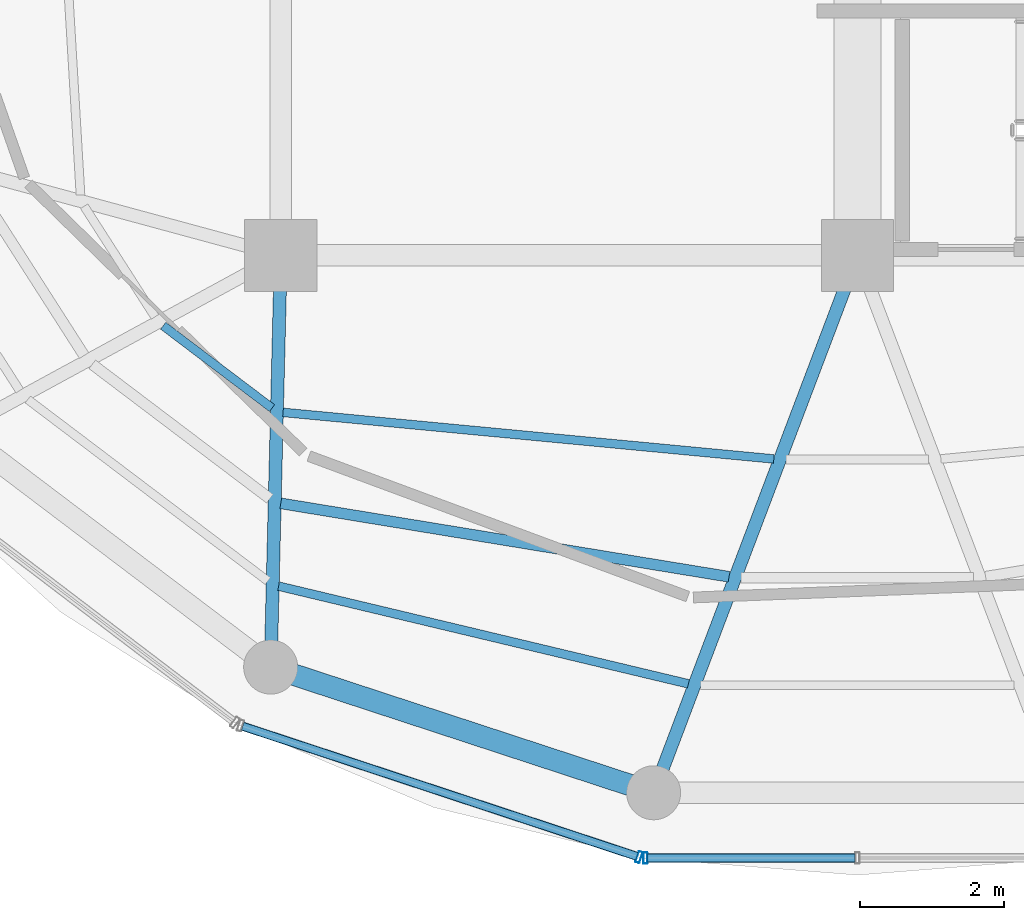
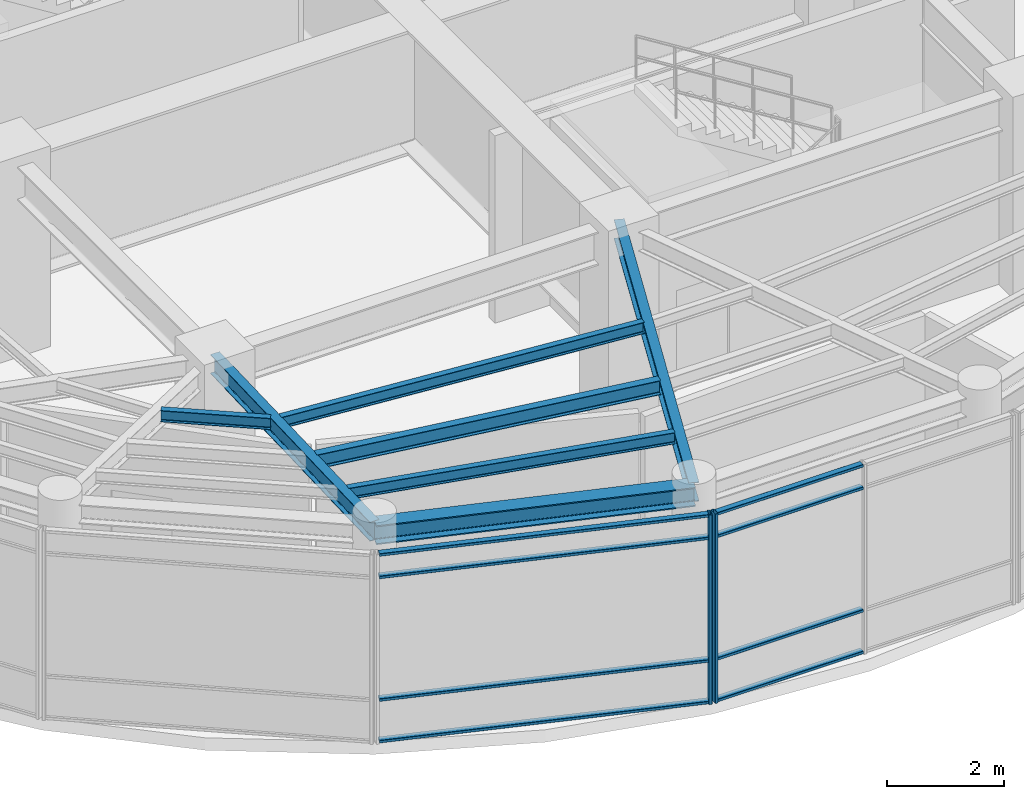
# One storey, part 3 of 19: 10 members, 7 beams, 2 elements without a shape of their own.
"""IFC4 building model written with IfcOpenShell, lengths in metres."""

from ifc_helpers import new_model, si_unit, direction, frame, origin, origin_2d, place, context, subcontext, project, spatial, hollow_rectangle, i_section, extrude, material, layer, layer_set, material_profile, profile_set, type_object, element, aggregate, save


model = new_model("IFC4")

# Units and contexts
model_context = context("Model", 3, precision=1e-05, world=origin(), true_north=direction((0.0, 1.0)))
body_context = subcontext(model_context, "Body", "Model", "MODEL_VIEW")
ifc_project = project(units=[si_unit("LENGTHUNIT", "METRE"), si_unit("AREAUNIT", "SQUARE_METRE"), si_unit("VOLUMEUNIT", "CUBIC_METRE"), si_unit("PLANEANGLEUNIT", "RADIAN"), si_unit("MASSUNIT", "GRAM", prefix="KILO")], contexts=[model_context])

# Site, building, storey
site_placement = place(None, origin())
site = spatial("IfcSite", under=ifc_project, at=site_placement, CompositionType="ELEMENT")
building_placement = place(site_placement, origin())
building = spatial("IfcBuilding", under=site, at=building_placement, Name="Kelanora Arch Commons", CompositionType="ELEMENT")
storey_placement = place(building_placement, frame((0.0, 0.0, 306.89990234375)))
storey = spatial("IfcBuildingStorey", under=building, at=storey_placement, Name="L78", CompositionType="ELEMENT", Elevation=306.89990234375)

# Beams
ifc_material_1 = material(Name="Steel S355", Category="steel")
ifc_material_profile_1 = material_profile(ifc_material_1, i_section(OverallWidth=0.14990234375, OverallDepth=0.300048828125, WebThickness=0.007080078125, FlangeThickness=0.0107421875, FilletRadius=0.014892578125, at=origin_2d()), Name="IPE300")
ifc_profile_set_1 = profile_set([ifc_material_profile_1], Name="Steel S355")
beam_type_1 = type_object("IfcBeamType", Name="BM-JST-01", PredefinedType="JOIST", material=ifc_profile_set_1)
beam_1_placement = place(storey_placement, frame((66.0, 47.558349609375, 3.830078125), z_axis=(0.986849654094, -0.16164083709, 0.0), x_axis=(0.16164083709, 0.986849654094, 0.0)))
element("IfcBeam", 1, at=beam_1_placement, inside=storey, type_object=beam_type_1, Name="Secondary Chord Joist BJB-24 L78", PredefinedType="JOIST", context=body_context, shape_type="SweptSolid", body=[
    extrude(i_section(OverallWidth=0.14990234375, OverallDepth=0.300048828125, WebThickness=0.007080078125, FlangeThickness=0.0107421875, FilletRadius=0.014892578125, at=origin_2d()), origin(), (0.0, 0.0, 1.0), 6.302734375),
])
ifc_material_profile_2 = material_profile(ifc_material_1, i_section(OverallWidth=0.1201171875, OverallDepth=0.239990234375, WebThickness=0.006103515625, FlangeThickness=0.009765625, FilletRadius=0.014892578125, at=origin_2d()), Name="IPE240")
ifc_profile_set_2 = profile_set([ifc_material_profile_2], Name="Steel S355")
beam_type_2 = type_object("IfcBeamType", Name="BM-JST-02", PredefinedType="JOIST", material=ifc_profile_set_2)
beam_2_placement = place(storey_placement, frame((64.36865234375, 50.02294921875, 3.860107421875), z_axis=(0.797424826317, -0.603418301324, 0.0), x_axis=(0.603418301324, 0.797424826317, 0.0)))
element("IfcBeam", 2, at=beam_2_placement, inside=storey, type_object=beam_type_2, Name="Secondary Chord Joist BJA-22 L78", PredefinedType="JOIST", context=body_context, shape_type="SweptSolid", body=[
    extrude(i_section(OverallWidth=0.1201171875, OverallDepth=0.239990234375, WebThickness=0.006103515625, FlangeThickness=0.009765625, FilletRadius=0.014892578125, at=origin_2d()), origin(), (0.0, 0.0, 1.0), 1.893798828125),
])
beam_3_placement = place(storey_placement, frame((66.031494140625, 48.82080078125, 3.860107421875), z_axis=(0.995523661296, -0.094512643594, 0.0), x_axis=(0.094512643594, 0.995523661296, 0.0)))
element("IfcBeam", 3, at=beam_3_placement, inside=storey, type_object=beam_type_2, Name="Secondary Chord Joist BJA-24 L78", PredefinedType="JOIST", context=body_context, shape_type="SweptSolid", body=[
    extrude(i_section(OverallWidth=0.1201171875, OverallDepth=0.239990234375, WebThickness=0.006103515625, FlangeThickness=0.009765625, FilletRadius=0.014892578125, at=origin_2d()), origin(), (0.0, 0.0, 1.0), 6.840087890625),
])
beam_4_placement = place(storey_placement, frame((65.970703125, 46.40966796875, 3.860107421875), z_axis=(0.972733556605, -0.231925479098, 0.0), x_axis=(0.231925479098, 0.972733556605, 0.0)))
element("IfcBeam", 4, at=beam_4_placement, inside=storey, type_object=beam_type_2, Name="Secondary Chord Joist BJC-24 L78", PredefinedType="JOIST", context=body_context, shape_type="SweptSolid", body=[
    extrude(i_section(OverallWidth=0.1201171875, OverallDepth=0.239990234375, WebThickness=0.006103515625, FlangeThickness=0.009765625, FilletRadius=0.014892578125, at=origin_2d()), origin(), (0.0, 0.0, 1.0), 5.844482421875),
])
ifc_material_profile_3 = material_profile(ifc_material_1, i_section(OverallWidth=0.179931640625, OverallDepth=0.39990234375, WebThickness=0.008544921875, FlangeThickness=0.013427734375, FilletRadius=0.02099609375, at=origin_2d()), Name="IPE400")
ifc_profile_set_3 = profile_set([ifc_material_profile_3], Name="Steel S355")
beam_type_3 = type_object("IfcBeamType", Name="BM-RAD-Z5", PredefinedType="BEAM", material=ifc_profile_set_3)
beam_5_placement = place(storey_placement, frame((66.0, 51.0, 3.780029296875), z_axis=(-0.0244777504, -0.99970037498, 0.0), x_axis=(0.99970037498, -0.0244777504, 0.0)))
element("IfcBeam", 5, at=beam_5_placement, inside=storey, type_object=beam_type_3, Name="Radial Floor Girder BR-24 L78", PredefinedType="BEAM", context=body_context, shape_type="SweptSolid", body=[
    extrude(i_section(OverallWidth=0.179931640625, OverallDepth=0.39990234375, WebThickness=0.008544921875, FlangeThickness=0.013427734375, FilletRadius=0.02099609375, at=origin_2d()), origin(), (0.0, 0.0, 1.0), 5.715087890625),
])
beam_6_placement = place(storey_placement, frame((74.0, 51.0, 3.780029296875), z_axis=(-0.354476114465, -0.93506506954, 0.0), x_axis=(0.93506506954, -0.354476114465, 0.0)))
element("IfcBeam", 6, at=beam_6_placement, inside=storey, type_object=beam_type_3, Name="Radial Floor Girder BR-26 L78", PredefinedType="BEAM", context=body_context, shape_type="SweptSolid", body=[
    extrude(i_section(OverallWidth=0.179931640625, OverallDepth=0.39990234375, WebThickness=0.008544921875, FlangeThickness=0.013427734375, FilletRadius=0.02099609375, at=origin_2d()), origin(), (0.0, 0.0, 1.0), 7.974853515625),
])
ifc_material_profile_4 = material_profile(ifc_material_1, i_section(OverallWidth=0.300048828125, OverallDepth=0.39990234375, WebThickness=0.013427734375, FlangeThickness=0.02392578125, FilletRadius=0.027099609375, at=origin_2d()), Name="HEB400")
ifc_profile_set_4 = profile_set([ifc_material_profile_4], Name="Steel S355")
beam_type_4 = type_object("IfcBeamType", Name="BM-SPN-Z4", PredefinedType="SPANDREL", material=ifc_profile_set_4)
beam_7_placement = place(storey_placement, frame((65.860107421875, 45.28662109375, 3.780029296875), z_axis=(0.950140083071, -0.311823383572, 0.0), x_axis=(0.311823383572, 0.950140083071, 0.0)))
element("IfcBeam", 7, at=beam_7_placement, inside=storey, type_object=beam_type_4, Name="Perimeter Spandrel Beam BS-24 L78", PredefinedType="SPANDREL", context=body_context, shape_type="SweptSolid", body=[
    extrude(i_section(OverallWidth=0.300048828125, OverallDepth=0.39990234375, WebThickness=0.013427734375, FlangeThickness=0.02392578125, FilletRadius=0.027099609375, at=origin_2d()), origin(), (0.0, 0.0, 1.0), 5.591796875),
])

# Curtain wall, member
ifc_material_2 = material(Name="Terracotta ceramic-fritted low-E glass and aluminium", Category="masonry")
ifc_layer = layer(ifc_material_2, 0.14990234375)
ifc_layer_set = layer_set([ifc_layer], Name="Terracotta ceramic-fritted low-E glass and aluminium")
curtain_wall_type = type_object("IfcCurtainWallType", Name="CW-SYS-06", PredefinedType="NOTDEFINED", material=ifc_layer_set)
curtain_wall_1_placement = place(storey_placement, origin())
curtain_wall_1 = element("IfcCurtainWall", 8, at=curtain_wall_1_placement, inside=storey, type_object=curtain_wall_type, Name="Unitised Curtain Wall L78-B12", PredefinedType="NOTDEFINED")
ifc_material_3 = material(Name="Powder-coated aluminium terracotta", Category="masonry")
ifc_material_profile_5 = material_profile(ifc_material_3, hollow_rectangle(XDim=0.159912109375, YDim=0.06005859375, WallThickness=0.0048828125, InnerFilletRadius=0.0048828125, OuterFilletRadius=0.010009765625, at=origin_2d()), Name="CWM160x60")
ifc_profile_set_5 = profile_set([ifc_material_profile_5], Name="Powder-coated aluminium terracotta")
member_type_1 = type_object("IfcMemberType", Name="CWM-STD", PredefinedType="MULLION", material=ifc_profile_set_5)
member_1_placement = place(storey_placement, frame((70.970703125, 42.651123046875, 0.0), z_axis=(0.0, 0.0, 1.0), x_axis=(0.313466845323, 0.949599145368, 0.0)))
member_1 = element("IfcMember", 9, at=member_1_placement, type_object=member_type_1, Name="CW-06 mullion 2", PredefinedType="MULLION", context=body_context, shape_type="SweptSolid", body=[
    extrude(hollow_rectangle(XDim=0.159912109375, YDim=0.06005859375, WallThickness=0.0048828125, InnerFilletRadius=0.0048828125, OuterFilletRadius=0.010009765625, at=origin_2d()), origin(), (0.0, 0.0, 1.0), 3.965087890625),
])

curtain_wall_2_placement = place(storey_placement, origin())
curtain_wall_2 = element("IfcCurtainWall", 10, at=curtain_wall_2_placement, inside=storey, type_object=curtain_wall_type, Name="Unitised Curtain Wall L78-B13", PredefinedType="NOTDEFINED")
member_2_placement = place(storey_placement, frame((71.058349609375, 42.636962890625, 0.0), z_axis=(0.0, 0.0, 1.0), x_axis=(0.0, 1.0, 0.0)))
member_2 = element("IfcMember", 11, at=member_2_placement, type_object=member_type_1, Name="CW-06 mullion 1", PredefinedType="MULLION", context=body_context, shape_type="SweptSolid", body=[
    extrude(hollow_rectangle(XDim=0.159912109375, YDim=0.06005859375, WallThickness=0.0048828125, InnerFilletRadius=0.0048828125, OuterFilletRadius=0.010009765625, at=origin_2d()), origin(), (0.0, 0.0, 1.0), 3.965087890625),
])

# Member
ifc_material_profile_6 = material_profile(ifc_material_3, hollow_rectangle(XDim=0.1201171875, YDim=0.06005859375, WallThickness=0.0048828125, InnerFilletRadius=0.0048828125, OuterFilletRadius=0.010009765625, at=origin_2d()), Name="CWT120x60")
ifc_profile_set_6 = profile_set([ifc_material_profile_6], Name="Powder-coated aluminium terracotta")
member_type_2 = type_object("IfcMemberType", Name="CWT-STD", PredefinedType="USERDEFINED", material=ifc_profile_set_6)
member_3_placement = place(storey_placement, frame((65.47119140625, 44.466552734375, 0.030029296875), z_axis=(0.949590431956, -0.31349324002, 0.0), x_axis=(0.31349324002, 0.949590431956, 0.0)))
member_3 = element("IfcMember", 12, at=member_3_placement, type_object=member_type_2, Name="CW-06 transom 1.1", ObjectType="TRANSOM", PredefinedType="USERDEFINED", context=body_context, shape_type="SweptSolid", body=[
    extrude(hollow_rectangle(XDim=0.1201171875, YDim=0.06005859375, WallThickness=0.0048828125, InnerFilletRadius=0.0048828125, OuterFilletRadius=0.010009765625, at=origin_2d()), origin(), (0.0, 0.0, 1.0), 5.761474609375),
])

member_4_placement = place(storey_placement, frame((65.47119140625, 44.466552734375, 0.900146484375), z_axis=(0.949590431956, -0.31349324002, 0.0), x_axis=(0.31349324002, 0.949590431956, 0.0)))
member_4 = element("IfcMember", 13, at=member_4_placement, type_object=member_type_2, Name="CW-06 transom 1.2", ObjectType="TRANSOM", PredefinedType="USERDEFINED", context=body_context, shape_type="SweptSolid", body=[
    extrude(hollow_rectangle(XDim=0.1201171875, YDim=0.06005859375, WallThickness=0.0048828125, InnerFilletRadius=0.0048828125, OuterFilletRadius=0.010009765625, at=origin_2d()), origin(), (0.0, 0.0, 1.0), 5.761474609375),
])

member_5_placement = place(storey_placement, frame((65.47119140625, 44.466552734375, 3.465087890625), z_axis=(0.949590431956, -0.31349324002, 0.0), x_axis=(0.31349324002, 0.949590431956, 0.0)))
member_5 = element("IfcMember", 14, at=member_5_placement, type_object=member_type_2, Name="CW-06 transom 1.3", ObjectType="TRANSOM", PredefinedType="USERDEFINED", context=body_context, shape_type="SweptSolid", body=[
    extrude(hollow_rectangle(XDim=0.1201171875, YDim=0.06005859375, WallThickness=0.0048828125, InnerFilletRadius=0.0048828125, OuterFilletRadius=0.010009765625, at=origin_2d()), origin(), (0.0, 0.0, 1.0), 5.761474609375),
])

member_6_placement = place(storey_placement, frame((65.47119140625, 44.466552734375, 3.93505859375), z_axis=(0.949590431956, -0.31349324002, 0.0), x_axis=(0.31349324002, 0.949590431956, 0.0)))
member_6 = element("IfcMember", 15, at=member_6_placement, type_object=member_type_2, Name="CW-06 transom 1.4", ObjectType="TRANSOM", PredefinedType="USERDEFINED", context=body_context, shape_type="SweptSolid", body=[
    extrude(hollow_rectangle(XDim=0.1201171875, YDim=0.06005859375, WallThickness=0.0048828125, InnerFilletRadius=0.0048828125, OuterFilletRadius=0.010009765625, at=origin_2d()), origin(), (0.0, 0.0, 1.0), 5.761474609375),
])

aggregate(curtain_wall_1, [member_1, member_3, member_4, member_5, member_6])

member_7_placement = place(storey_placement, frame((71.08837890625, 42.636962890625, 0.030029296875), z_axis=(1.0, 0.0, 0.0), x_axis=(0.0, 1.0, 0.0)))
member_7 = element("IfcMember", 16, at=member_7_placement, type_object=member_type_2, Name="CW-06 transom 1.1", ObjectType="TRANSOM", PredefinedType="USERDEFINED", context=body_context, shape_type="SweptSolid", body=[
    extrude(hollow_rectangle(XDim=0.1201171875, YDim=0.06005859375, WallThickness=0.0048828125, InnerFilletRadius=0.0048828125, OuterFilletRadius=0.010009765625, at=origin_2d()), origin(), (0.0, 0.0, 1.0), 2.881591796875),
])

member_8_placement = place(storey_placement, frame((71.08837890625, 42.636962890625, 0.900146484375), z_axis=(1.0, 0.0, 0.0), x_axis=(0.0, 1.0, 0.0)))
member_8 = element("IfcMember", 17, at=member_8_placement, type_object=member_type_2, Name="CW-06 transom 1.2", ObjectType="TRANSOM", PredefinedType="USERDEFINED", context=body_context, shape_type="SweptSolid", body=[
    extrude(hollow_rectangle(XDim=0.1201171875, YDim=0.06005859375, WallThickness=0.0048828125, InnerFilletRadius=0.0048828125, OuterFilletRadius=0.010009765625, at=origin_2d()), origin(), (0.0, 0.0, 1.0), 2.881591796875),
])

member_9_placement = place(storey_placement, frame((71.08837890625, 42.636962890625, 3.465087890625), z_axis=(1.0, 0.0, 0.0), x_axis=(0.0, 1.0, 0.0)))
member_9 = element("IfcMember", 18, at=member_9_placement, type_object=member_type_2, Name="CW-06 transom 1.3", ObjectType="TRANSOM", PredefinedType="USERDEFINED", context=body_context, shape_type="SweptSolid", body=[
    extrude(hollow_rectangle(XDim=0.1201171875, YDim=0.06005859375, WallThickness=0.0048828125, InnerFilletRadius=0.0048828125, OuterFilletRadius=0.010009765625, at=origin_2d()), origin(), (0.0, 0.0, 1.0), 2.881591796875),
])

member_10_placement = place(storey_placement, frame((71.08837890625, 42.636962890625, 3.93505859375), z_axis=(1.0, 0.0, 0.0), x_axis=(0.0, 1.0, 0.0)))
member_10 = element("IfcMember", 19, at=member_10_placement, type_object=member_type_2, Name="CW-06 transom 1.4", ObjectType="TRANSOM", PredefinedType="USERDEFINED", context=body_context, shape_type="SweptSolid", body=[
    extrude(hollow_rectangle(XDim=0.1201171875, YDim=0.06005859375, WallThickness=0.0048828125, InnerFilletRadius=0.0048828125, OuterFilletRadius=0.010009765625, at=origin_2d()), origin(), (0.0, 0.0, 1.0), 2.881591796875),
])

aggregate(curtain_wall_2, [member_2, member_7, member_8, member_9, member_10])

save(model, "model.ifc")
